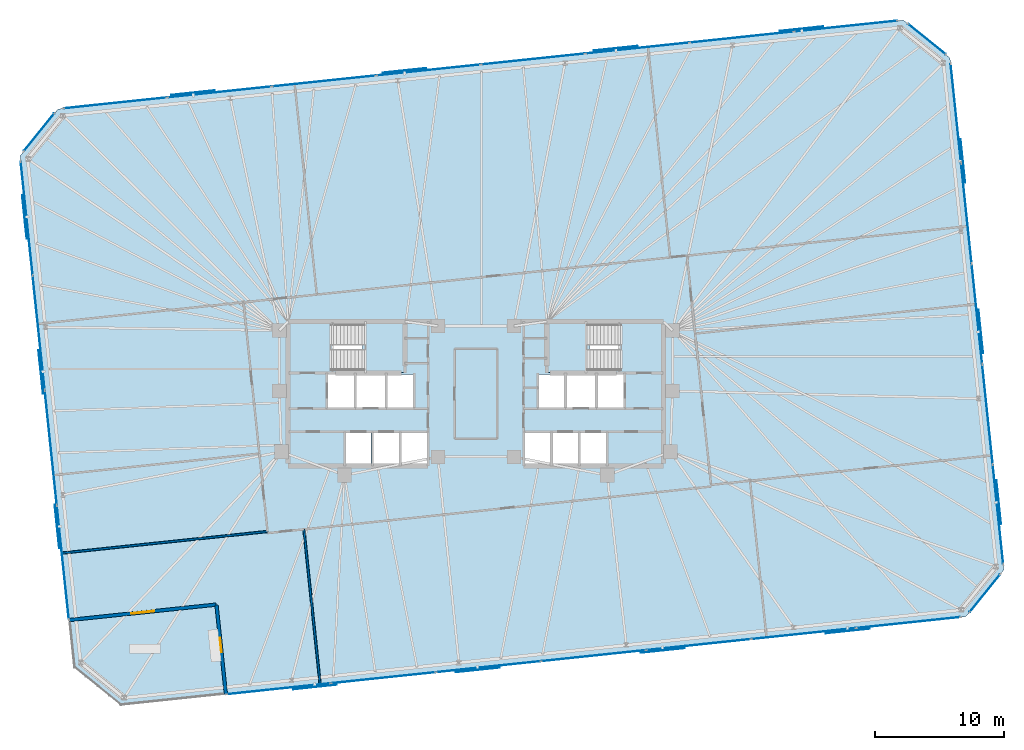
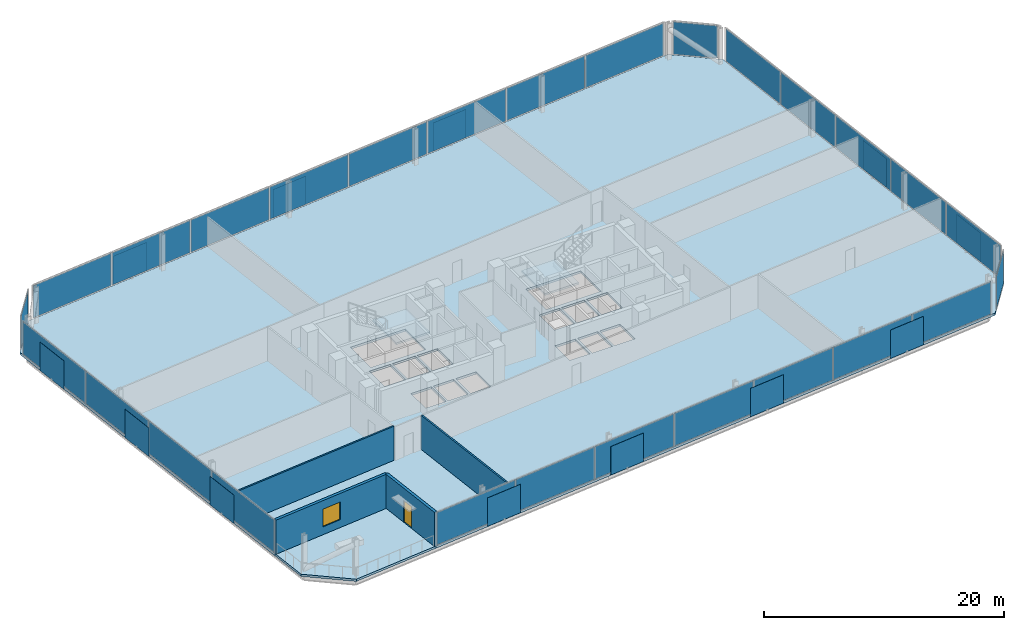
# One storey, part 13 of 18: 41 plates, 4 slabs, 4 walls, 1 door, 1 window, 2 openings, 9 elements without a shape of their own.
"""IFC4 building model written with IfcOpenShell, lengths in metres."""

from ifc_helpers import new_model, si_unit, direction, frame, frame_2d, origin, origin_2d, place, context, subcontext, project, spatial, polyline, rectangle, outline, extrude, material, layer, layer_set, type_object, element, fill, aggregate, save


model = new_model("IFC4")

# Units and contexts
model_context = context("Model", 3, precision=1e-05, world=origin(), true_north=direction((0.0, 1.0)))
body_context = subcontext(model_context, "Body", "Model", "MODEL_VIEW")
ifc_project = project(units=[si_unit("LENGTHUNIT", "METRE"), si_unit("AREAUNIT", "SQUARE_METRE"), si_unit("VOLUMEUNIT", "CUBIC_METRE"), si_unit("PLANEANGLEUNIT", "RADIAN"), si_unit("MASSUNIT", "GRAM", prefix="KILO")], contexts=[model_context])

# Site, building, storey
site_placement = place(None, origin())
site = spatial("IfcSite", under=ifc_project, at=site_placement, CompositionType="ELEMENT")
building_placement = place(site_placement, origin())
building = spatial("IfcBuilding", under=site, at=building_placement, Name="Menara Jurai Vektor", CompositionType="ELEMENT")
storey_placement = place(building_placement, frame((0.0, 0.0, 113.300048828125)))
storey = spatial("IfcBuildingStorey", under=building, at=storey_placement, Name="L28", CompositionType="ELEMENT", Elevation=113.300048828125)

# Curtain wall, plates
ifc_material_1 = material(Name="Anodised Pale Aluminium & Low-E Double Glazing", Category="aluminium")
curtain_wall_type = type_object("IfcCurtainWallType", Name="CW-BLK2", PredefinedType="NOTDEFINED", material=ifc_material_1)
curtain_wall_1_placement = place(storey_placement, origin())
curtain_wall_1 = element("IfcCurtainWall", 1, at=curtain_wall_1_placement, inside=storey, type_object=curtain_wall_type, Name="Unitised Curtain Wall L28 F03", PredefinedType="NOTDEFINED")
ifc_material_2 = material(Name="Low-E Solar-Control Double Glazed Unit", Category="glass")
ifc_layer_1 = layer(ifc_material_2, 0.033935546875)
ifc_layer_set_1 = layer_set([ifc_layer_1], Name="Low-E Solar-Control Double Glazed Unit")
plate_type_1 = type_object("IfcPlateType", Name="CW-BLK2-PNL", PredefinedType="CURTAIN_PANEL", material=ifc_layer_set_1)
plate_1_placement = place(storey_placement, frame((-15.289794921875, -22.87939453125, 0.090087890625), z_axis=(0.0, 0.0, 1.0), x_axis=(0.994521844653, 0.104528945794, 0.0)))
plate_1 = element("IfcPlate", 2, at=plate_1_placement, type_object=plate_type_1, Name="CW-02 panel 1.1", PredefinedType="CURTAIN_PANEL", context=body_context, shape_type="SweptSolid", body=[
    extrude(rectangle(XDim=8.053466796875, YDim=0.033935546875, at=origin_2d()), origin(), (0.0, 0.0, 1.0), 3.294921875),
])
plate_2_placement = place(storey_placement, frame((-7.16845703125, -22.02587890625, 0.090087890625), z_axis=(0.0, 0.0, 1.0), x_axis=(0.994521844653, 0.104528945794, 0.0)))
plate_2 = element("IfcPlate", 3, at=plate_2_placement, type_object=plate_type_1, Name="CW-02 panel 2.1", PredefinedType="CURTAIN_PANEL", context=body_context, shape_type="SweptSolid", body=[
    extrude(rectangle(XDim=8.0986328125, YDim=0.033935546875, at=origin_2d()), origin(), (0.0, 0.0, 1.0), 3.294921875),
])
plate_3_placement = place(storey_placement, frame((0.97509765625, -21.169921875, 0.090087890625), z_axis=(0.0, 0.0, 1.0), x_axis=(0.994521844653, 0.104528945794, 0.0)))
plate_3 = element("IfcPlate", 4, at=plate_3_placement, type_object=plate_type_1, Name="CW-02 panel 3.1", PredefinedType="CURTAIN_PANEL", context=body_context, shape_type="SweptSolid", body=[
    extrude(rectangle(XDim=8.0986328125, YDim=0.033935546875, at=origin_2d()), origin(), (0.0, 0.0, 1.0), 3.294921875),
])
plate_4_placement = place(storey_placement, frame((9.118896484375, -20.31396484375, 0.090087890625), z_axis=(0.0, 0.0, 1.0), x_axis=(0.994521844653, 0.104528945794, 0.0)))
plate_4 = element("IfcPlate", 5, at=plate_4_placement, type_object=plate_type_1, Name="CW-02 panel 4.1", PredefinedType="CURTAIN_PANEL", context=body_context, shape_type="SweptSolid", body=[
    extrude(rectangle(XDim=8.0986328125, YDim=0.033935546875, at=origin_2d()), origin(), (0.0, 0.0, 1.0), 3.294921875),
])
plate_5_placement = place(storey_placement, frame((17.2626953125, -19.4580078125, 0.090087890625), z_axis=(0.0, 0.0, 1.0), x_axis=(0.994521844653, 0.104528945794, 0.0)))
plate_5 = element("IfcPlate", 6, at=plate_5_placement, type_object=plate_type_1, Name="CW-02 panel 5.1", PredefinedType="CURTAIN_PANEL", context=body_context, shape_type="SweptSolid", body=[
    extrude(rectangle(XDim=8.0986328125, YDim=0.033935546875, at=origin_2d()), origin(), (0.0, 0.0, 1.0), 3.294921875),
])
plate_6_placement = place(storey_placement, frame((25.40625, -18.60205078125, 0.090087890625), z_axis=(0.0, 0.0, 1.0), x_axis=(0.994521844653, 0.104528945794, 0.0)))
plate_6 = element("IfcPlate", 7, at=plate_6_placement, type_object=plate_type_1, Name="CW-02 panel 6.1", PredefinedType="CURTAIN_PANEL", context=body_context, shape_type="SweptSolid", body=[
    extrude(rectangle(XDim=8.0986328125, YDim=0.033935546875, at=origin_2d()), origin(), (0.0, 0.0, 1.0), 3.294921875),
])
plate_7_placement = place(storey_placement, frame((33.527587890625, -17.74853515625, 0.090087890625), z_axis=(0.0, 0.0, 1.0), x_axis=(0.994521844653, 0.104528945794, 0.0)))
plate_7 = element("IfcPlate", 8, at=plate_7_placement, type_object=plate_type_1, Name="CW-02 panel 7.1", PredefinedType="CURTAIN_PANEL", context=body_context, shape_type="SweptSolid", body=[
    extrude(rectangle(XDim=8.053466796875, YDim=0.033935546875, at=origin_2d()), origin(), (0.0, 0.0, 1.0), 3.294921875),
])
aggregate(curtain_wall_1, [plate_1, plate_2, plate_3, plate_4, plate_5, plate_6, plate_7])

curtain_wall_2_placement = place(storey_placement, origin())
curtain_wall_2 = element("IfcCurtainWall", 9, at=curtain_wall_2_placement, inside=storey, type_object=curtain_wall_type, Name="Unitised Curtain Wall L28 F05", PredefinedType="NOTDEFINED")
plate_8_placement = place(storey_placement, frame((40.485595703125, -9.358642578125, 0.090087890625), z_axis=(0.0, 0.0, 1.0), x_axis=(-0.104529576902, 0.99452177832, 0.0)))
plate_8 = element("IfcPlate", 10, at=plate_8_placement, type_object=plate_type_1, Name="CW-02 panel 1.1", PredefinedType="CURTAIN_PANEL", context=body_context, shape_type="SweptSolid", body=[
    extrude(rectangle(XDim=7.693115234375, YDim=0.033935546875, at=origin_2d()), origin(), (0.0, 0.0, 1.0), 3.294921875),
])
plate_9_placement = place(storey_placement, frame((39.669677734375, -1.595947265625, 0.090087890625), z_axis=(0.0, 0.0, 1.0), x_axis=(-0.104529576902, 0.99452177832, 0.0)))
plate_9 = element("IfcPlate", 11, at=plate_9_placement, type_object=plate_type_1, Name="CW-02 panel 2.1", PredefinedType="CURTAIN_PANEL", context=body_context, shape_type="SweptSolid", body=[
    extrude(rectangle(XDim=7.738037109375, YDim=0.033935546875, at=origin_2d()), origin(), (0.0, 0.0, 1.0), 3.294921875),
])
plate_10_placement = place(storey_placement, frame((38.8515625, 6.189208984375, 0.090087890625), z_axis=(0.0, 0.0, 1.0), x_axis=(-0.104529576902, 0.99452177832, 0.0)))
plate_10 = element("IfcPlate", 12, at=plate_10_placement, type_object=plate_type_1, Name="CW-02 panel 3.1", PredefinedType="CURTAIN_PANEL", context=body_context, shape_type="SweptSolid", body=[
    extrude(rectangle(XDim=7.738037109375, YDim=0.033935546875, at=origin_2d()), origin(), (0.0, 0.0, 1.0), 3.294921875),
])
plate_11_placement = place(storey_placement, frame((38.033203125, 13.974365234375, 0.090087890625), z_axis=(0.0, 0.0, 1.0), x_axis=(-0.104529576902, 0.99452177832, 0.0)))
plate_11 = element("IfcPlate", 13, at=plate_11_placement, type_object=plate_type_1, Name="CW-02 panel 4.1", PredefinedType="CURTAIN_PANEL", context=body_context, shape_type="SweptSolid", body=[
    extrude(rectangle(XDim=7.738037109375, YDim=0.033935546875, at=origin_2d()), origin(), (0.0, 0.0, 1.0), 3.294921875),
])
plate_12_placement = place(storey_placement, frame((37.21728515625, 21.737060546875, 0.090087890625), z_axis=(0.0, 0.0, 1.0), x_axis=(-0.104529576902, 0.99452177832, 0.0)))
plate_12 = element("IfcPlate", 14, at=plate_12_placement, type_object=plate_type_1, Name="CW-02 panel 5.1", PredefinedType="CURTAIN_PANEL", context=body_context, shape_type="SweptSolid", body=[
    extrude(rectangle(XDim=7.693115234375, YDim=0.033935546875, at=origin_2d()), origin(), (0.0, 0.0, 1.0), 3.294921875),
])
aggregate(curtain_wall_2, [plate_8, plate_9, plate_10, plate_11, plate_12])

curtain_wall_3_placement = place(storey_placement, origin())
curtain_wall_3 = element("IfcCurtainWall", 15, at=curtain_wall_3_placement, inside=storey, type_object=curtain_wall_type, Name="Unitised Curtain Wall L28 F07", PredefinedType="NOTDEFINED")
plate_13_placement = place(storey_placement, frame((28.68994140625, 28.499267578125, 0.090087890625), z_axis=(0.0, 0.0, 1.0), x_axis=(-0.994521877325, -0.104528634935, 0.0)))
plate_13 = element("IfcPlate", 16, at=plate_13_placement, type_object=plate_type_1, Name="CW-02 panel 1.1", PredefinedType="CURTAIN_PANEL", context=body_context, shape_type="SweptSolid", body=[
    extrude(rectangle(XDim=8.007568359375, YDim=0.033935546875, at=origin_2d()), origin(), (0.0, 0.0, 1.0), 3.294921875),
])
plate_14_placement = place(storey_placement, frame((20.614501953125, 27.650390625, 0.090087890625), z_axis=(0.0, 0.0, 1.0), x_axis=(-0.994521877325, -0.104528634935, 0.0)))
plate_14 = element("IfcPlate", 17, at=plate_14_placement, type_object=plate_type_1, Name="CW-02 panel 2.1", PredefinedType="CURTAIN_PANEL", context=body_context, shape_type="SweptSolid", body=[
    extrude(rectangle(XDim=8.052490234375, YDim=0.033935546875, at=origin_2d()), origin(), (0.0, 0.0, 1.0), 3.294921875),
])
plate_15_placement = place(storey_placement, frame((12.5166015625, 26.79931640625, 0.090087890625), z_axis=(0.0, 0.0, 1.0), x_axis=(-0.994521877325, -0.104528634935, 0.0)))
plate_15 = element("IfcPlate", 18, at=plate_15_placement, type_object=plate_type_1, Name="CW-02 panel 3.1", PredefinedType="CURTAIN_PANEL", context=body_context, shape_type="SweptSolid", body=[
    extrude(rectangle(XDim=8.052490234375, YDim=0.033935546875, at=origin_2d()), origin(), (0.0, 0.0, 1.0), 3.294921875),
])
plate_16_placement = place(storey_placement, frame((4.418701171875, 25.9482421875, 0.090087890625), z_axis=(0.0, 0.0, 1.0), x_axis=(-0.994521877325, -0.104528634935, 0.0)))
plate_16 = element("IfcPlate", 19, at=plate_16_placement, type_object=plate_type_1, Name="CW-02 panel 4.1", PredefinedType="CURTAIN_PANEL", context=body_context, shape_type="SweptSolid", body=[
    extrude(rectangle(XDim=8.052490234375, YDim=0.033935546875, at=origin_2d()), origin(), (0.0, 0.0, 1.0), 3.294921875),
])
plate_17_placement = place(storey_placement, frame((-3.67919921875, 25.096923828125, 0.090087890625), z_axis=(0.0, 0.0, 1.0), x_axis=(-0.994521877325, -0.104528634935, 0.0)))
plate_17 = element("IfcPlate", 20, at=plate_17_placement, type_object=plate_type_1, Name="CW-02 panel 5.1", PredefinedType="CURTAIN_PANEL", context=body_context, shape_type="SweptSolid", body=[
    extrude(rectangle(XDim=8.052490234375, YDim=0.033935546875, at=origin_2d()), origin(), (0.0, 0.0, 1.0), 3.294921875),
])
plate_18_placement = place(storey_placement, frame((-11.777099609375, 24.245849609375, 0.090087890625), z_axis=(0.0, 0.0, 1.0), x_axis=(-0.994521877325, -0.104528634935, 0.0)))
plate_18 = element("IfcPlate", 21, at=plate_18_placement, type_object=plate_type_1, Name="CW-02 panel 6.1", PredefinedType="CURTAIN_PANEL", context=body_context, shape_type="SweptSolid", body=[
    extrude(rectangle(XDim=8.052490234375, YDim=0.033935546875, at=origin_2d()), origin(), (0.0, 0.0, 1.0), 3.294921875),
])
plate_19_placement = place(storey_placement, frame((-19.875, 23.394775390625, 0.090087890625), z_axis=(0.0, 0.0, 1.0), x_axis=(-0.994521877325, -0.104528634935, 0.0)))
plate_19 = element("IfcPlate", 22, at=plate_19_placement, type_object=plate_type_1, Name="CW-02 panel 7.1", PredefinedType="CURTAIN_PANEL", context=body_context, shape_type="SweptSolid", body=[
    extrude(rectangle(XDim=8.052490234375, YDim=0.033935546875, at=origin_2d()), origin(), (0.0, 0.0, 1.0), 3.294921875),
])
plate_20_placement = place(storey_placement, frame((-27.95068359375, 22.5458984375, 0.090087890625), z_axis=(0.0, 0.0, 1.0), x_axis=(-0.994521877325, -0.104528634935, 0.0)))
plate_20 = element("IfcPlate", 23, at=plate_20_placement, type_object=plate_type_1, Name="CW-02 panel 8.1", PredefinedType="CURTAIN_PANEL", context=body_context, shape_type="SweptSolid", body=[
    extrude(rectangle(XDim=8.007568359375, YDim=0.033935546875, at=origin_2d()), origin(), (0.0, 0.0, 1.0), 3.294921875),
])
aggregate(curtain_wall_3, [plate_13, plate_14, plate_15, plate_16, plate_17, plate_18, plate_19, plate_20])

curtain_wall_4_placement = place(storey_placement, origin())
curtain_wall_4 = element("IfcCurtainWall", 24, at=curtain_wall_4_placement, inside=storey, type_object=curtain_wall_type, Name="Unitised Curtain Wall L28 F09", PredefinedType="NOTDEFINED")
plate_21_placement = place(storey_placement, frame((-34.82666015625, 13.598388671875, 0.090087890625), z_axis=(0.0, 0.0, 1.0), x_axis=(0.10453088607, -0.994521640719, 0.0)))
plate_21 = element("IfcPlate", 25, at=plate_21_placement, type_object=plate_type_1, Name="CW-02 panel 1.1", PredefinedType="CURTAIN_PANEL", context=body_context, shape_type="SweptSolid", body=[
    extrude(rectangle(XDim=8.820068359375, YDim=0.033935546875, at=origin_2d()), origin(), (0.0, 0.0, 1.0), 3.294921875),
])
plate_22_placement = place(storey_placement, frame((-33.89306640625, 4.71484375, 0.090087890625), z_axis=(0.0, 0.0, 1.0), x_axis=(0.10453088607, -0.994521640719, 0.0)))
plate_22 = element("IfcPlate", 26, at=plate_22_placement, type_object=plate_type_1, Name="CW-02 panel 2.1", PredefinedType="CURTAIN_PANEL", context=body_context, shape_type="SweptSolid", body=[
    extrude(rectangle(XDim=8.864990234375, YDim=0.033935546875, at=origin_2d()), origin(), (0.0, 0.0, 1.0), 3.294921875),
])
plate_23_placement = place(storey_placement, frame((-32.95703125, -4.191162109375, 0.090087890625), z_axis=(0.0, 0.0, 1.0), x_axis=(0.10453088607, -0.994521640719, 0.0)))
plate_23 = element("IfcPlate", 27, at=plate_23_placement, type_object=plate_type_1, Name="CW-02 panel 3.1", PredefinedType="CURTAIN_PANEL", context=body_context, shape_type="SweptSolid", body=[
    extrude(rectangle(XDim=8.864990234375, YDim=0.033935546875, at=origin_2d()), origin(), (0.0, 0.0, 1.0), 3.294921875),
])
plate_24_placement = place(storey_placement, frame((-32.023193359375, -13.07470703125, 0.090087890625), z_axis=(0.0, 0.0, 1.0), x_axis=(0.10453088607, -0.994521640719, 0.0)))
plate_24 = element("IfcPlate", 28, at=plate_24_placement, type_object=plate_type_1, Name="CW-02 panel 4.1", PredefinedType="CURTAIN_PANEL", context=body_context, shape_type="SweptSolid", body=[
    extrude(rectangle(XDim=8.820068359375, YDim=0.033935546875, at=origin_2d()), origin(), (0.0, 0.0, 1.0), 3.294921875),
])
aggregate(curtain_wall_4, [plate_21, plate_22, plate_23, plate_24])

# Curtain wall, plate
curtain_wall_5_placement = place(storey_placement, origin())
curtain_wall_5 = element("IfcCurtainWall", 29, at=curtain_wall_5_placement, inside=storey, type_object=curtain_wall_type, Name="Unitised Curtain Wall L28 F04", PredefinedType="NOTDEFINED")
ifc_material_3 = material(Name="Insulated Pale Aluminium Spandrel Panel", Category="aluminium")
ifc_layer_2 = layer(ifc_material_3, 0.06005859375)
ifc_layer_set_2 = layer_set([ifc_layer_2], Name="Insulated Pale Aluminium Spandrel Panel")
plate_type_2 = type_object("IfcPlateType", Name="CW-PNL-SP", PredefinedType="CURTAIN_PANEL", material=ifc_layer_set_2)
plate_25_placement = place(storey_placement, frame((39.46826171875, -15.465087890625, 0.090087890625), z_axis=(0.0, 0.0, 1.0), x_axis=(0.62934106172, 0.777129222223, 0.0)))
plate_25 = element("IfcPlate", 30, at=plate_25_placement, type_object=plate_type_2, Name="CW-02 panel 1.1", PredefinedType="CURTAIN_PANEL", context=body_context, shape_type="SweptSolid", body=[
    extrude(rectangle(XDim=3.72705078125, YDim=0.06005859375, at=origin_2d()), origin(), (0.0, 0.0, 1.0), 3.294921875),
])
aggregate(curtain_wall_5, [plate_25])

curtain_wall_6_placement = place(storey_placement, origin())
curtain_wall_6 = element("IfcCurtainWall", 31, at=curtain_wall_6_placement, inside=storey, type_object=curtain_wall_type, Name="Unitised Curtain Wall L28 F06", PredefinedType="NOTDEFINED")
plate_26_placement = place(storey_placement, frame((34.95263671875, 27.498291015625, 0.090087890625), z_axis=(0.0, 0.0, 1.0), x_axis=(-0.777151877437, 0.629313085353, 0.0)))
plate_26 = element("IfcPlate", 32, at=plate_26_placement, type_object=plate_type_2, Name="CW-02 panel 1.1", PredefinedType="CURTAIN_PANEL", context=body_context, shape_type="SweptSolid", body=[
    extrude(rectangle(XDim=3.72705078125, YDim=0.06005859375, at=origin_2d()), origin(), (0.0, 0.0, 1.0), 3.294921875),
])
aggregate(curtain_wall_6, [plate_26])

curtain_wall_7_placement = place(storey_placement, origin())
curtain_wall_7 = element("IfcCurtainWall", 33, at=curtain_wall_7_placement, inside=storey, type_object=curtain_wall_type, Name="Unitised Curtain Wall L28 F08", PredefinedType="NOTDEFINED")
plate_27_placement = place(storey_placement, frame((-33.868408203125, 20.264892578125, 0.090087890625), z_axis=(0.0, 0.0, 1.0), x_axis=(-0.62934106172, -0.777129222223, 0.0)))
plate_27 = element("IfcPlate", 34, at=plate_27_placement, type_object=plate_type_2, Name="CW-02 panel 1.1", PredefinedType="CURTAIN_PANEL", context=body_context, shape_type="SweptSolid", body=[
    extrude(rectangle(XDim=3.72705078125, YDim=0.06005859375, at=origin_2d()), origin(), (0.0, 0.0, 1.0), 3.294921875),
])
aggregate(curtain_wall_7, [plate_27])

# Plates
ifc_material_4 = material(Name="Anodised Pale Aluminium Perforated Screen", Category="aluminium")
ifc_layer_3 = layer(ifc_material_4, 0.02392578125)
ifc_layer_set_3 = layer_set([ifc_layer_3], Name="Anodised Pale Aluminium Perforated Screen")
plate_type_3 = type_object("IfcPlateType", Name="ENV-PLT-SCREEN", PredefinedType="USERDEFINED", material=ifc_layer_set_3)
for number, where, z_axis, x_axis, name in (
    (35, (-12.481201171875, -22.7451171875, -0.050048828125), (0.0, 0.0, 1.0), (0.994521895368, 0.104528463268, 0.0), "Perforated Pale-Metal Solar Screen L28-S01"),
    (36, (0.143310546875, -21.418212890625, -0.050048828125), (0.0, 0.0, 1.0), (0.994521895368, 0.104528463268, 0.0), "Perforated Pale-Metal Solar Screen L28-S02"),
    (37, (14.489013671875, -19.910400390625, -0.050048828125), (0.0, 0.0, 1.0), (0.994521895368, 0.104528463268, 0.0), "Perforated Pale-Metal Solar Screen L28-S03"),
    (38, (28.835205078125, -18.402587890625, -0.050048828125), (0.0, 0.0, 1.0), (0.994521895368, 0.104528463268, 0.0), "Perforated Pale-Metal Solar Screen L28-S04"),
    (39, (40.546875, -8.41015625, -0.050048828125), (0.0, 0.0, 1.0), (-0.104528463268, 0.994521895368, 0.0), "Perforated Pale-Metal Solar Screen L28-S05"),
    (40, (39.156494140625, 4.81689453125, -0.050048828125), (0.0, 0.0, 1.0), (-0.104528463268, 0.994521895368, 0.0), "Perforated Pale-Metal Solar Screen L28-S06"),
    (41, (37.766357421875, 18.044189453125, -0.050048828125), (0.0, 0.0, 1.0), (-0.104528463268, 0.994521895368, 0.0), "Perforated Pale-Metal Solar Screen L28-S07"),
    (42, (25.2578125, 28.29931640625, -0.050048828125), (0.0, 0.0, 1.0), (-0.994521895368, -0.104528463268, 0.0), "Perforated Pale-Metal Solar Screen L28-S08"),
    (43, (10.839111328125, 26.783935546875, -0.050048828125), (0.0, 0.0, 1.0), (-0.994521895368, -0.104528463268, 0.0), "Perforated Pale-Metal Solar Screen L28-S09"),
    (44, (-5.54541015625, 25.061767578125, -0.050048828125), (0.0, 0.0, 1.0), (-0.994521895368, -0.104528463268, 0.0), "Perforated Pale-Metal Solar Screen L28-S10"),
    (45, (-21.930419921875, 23.339599609375, -0.050048828125), (0.0, 0.0, 1.0), (-0.994521895368, -0.104528463268, 0.0), "Perforated Pale-Metal Solar Screen L28-S11"),
    (46, (-34.997802734375, 13.694580078125, -0.050048828125), (0.0, 0.0, 1.0), (0.104528463268, -0.994521895368, 0.0), "Perforated Pale-Metal Solar Screen L28-S12"),
    (47, (-33.736328125, 1.694091796875, -0.050048828125), (0.0, 0.0, 1.0), (0.104528463268, -0.994521895368, 0.0), "Perforated Pale-Metal Solar Screen L28-S13"),
    (48, (-32.47509765625, -10.306396484375, -0.050048828125), (0.0, 0.0, 1.0), (0.104528463268, -0.994521895368, 0.0), "Perforated Pale-Metal Solar Screen L28-S14"),
):
    element("IfcPlate", number, at=place(storey_placement, frame(where, z_axis=z_axis, x_axis=x_axis)), inside=storey, type_object=plate_type_3, Name=name, ObjectType="SCREEN", PredefinedType="USERDEFINED", context=body_context, shape_type="SweptSolid", body=[
        extrude(rectangle(XDim=3.39990234375, YDim=0.02392578125, at=origin_2d()), origin(), (0.0, 0.0, 1.0), 2.89990234375),
    ])

# Stair, slab
ifc_material_5 = material(Name="Concrete C40/50", Category="concrete")
stair_type = type_object("IfcStairType", Name="STAIR-DOGLEG-1500", PredefinedType="HALF_TURN_STAIR", material=ifc_material_5)
stair_1_placement = place(storey_placement, origin())
stair_1 = element("IfcStair", 49, at=stair_1_placement, inside=storey, type_object=stair_type, Name="Protected Exit Stair ST1 L28", PredefinedType="HALF_TURN_STAIR")
ifc_layer_4 = layer(ifc_material_5, 0.199951171875)
ifc_layer_set_4 = layer_set([ifc_layer_4], Name="Concrete C40/50")
slab_type_1 = type_object("IfcSlabType", Name="STAIR-LANDING-200", PredefinedType="LANDING", material=ifc_layer_set_4)
slab_1_placement = place(storey_placement, frame((0.0, 0.0, 1.64990234375)))
slab_1 = element("IfcSlab", 50, at=slab_1_placement, type_object=slab_type_1, Name="ST1 landing 1", PredefinedType="LANDING", context=body_context, shape_type="SweptSolid", body=[
    extrude(outline(polyline([(-8.800048828125, 1.64990234375), (-5.550048828125, 1.64990234375), (-5.550048828125, 5.550048828125), (-8.800048828125, 5.550048828125), (-8.800048828125, 1.64990234375)])), origin(), (0.0, 0.0, 1.0), 0.199951171875),
])
aggregate(stair_1, [slab_1])

stair_2_placement = place(storey_placement, origin())
stair_2 = element("IfcStair", 51, at=stair_2_placement, inside=storey, type_object=stair_type, Name="Protected Exit Stair ST2 L28", PredefinedType="HALF_TURN_STAIR")
slab_2_placement = place(storey_placement, frame((0.0, 0.0, 1.64990234375)))
slab_2 = element("IfcSlab", 52, at=slab_2_placement, type_object=slab_type_1, Name="ST2 landing 1", PredefinedType="LANDING", context=body_context, shape_type="SweptSolid", body=[
    extrude(outline(polyline([(5.550048828125, 1.64990234375), (8.800048828125, 1.64990234375), (8.800048828125, 5.550048828125), (5.550048828125, 5.550048828125), (5.550048828125, 1.64990234375)])), origin(), (0.0, 0.0, 1.0), 0.199951171875),
])
aggregate(stair_2, [slab_2])

# Slabs
ifc_layer_5 = layer(ifc_material_5, 0.219970703125)
ifc_layer_set_5 = layer_set([ifc_layer_5], Name="Concrete C40/50")
slab_type_2 = type_object("IfcSlabType", Name="STR-SLAB-TER220", PredefinedType="FLOOR", material=ifc_layer_set_5)
slab_3_placement = place(storey_placement, frame((0.0, 0.0, -0.22509765625)))
element("IfcSlab", 53, at=slab_3_placement, inside=storey, type_object=slab_type_2, Name="Spiral Sky Terrace Slab L28", PredefinedType="FLOOR", context=body_context, shape_type="SweptSolid", body=[
    extrude(outline(polyline([(-19.384033203125, -23.309814453125), (-20.11572265625, -16.34814453125), (-31.552734375, -17.550048828125), (-31.166015625, -21.22998046875), (-27.539306640625, -24.166748046875), (-19.384033203125, -23.309814453125)])), origin(), (0.0, 0.0, 1.0), 0.22509765625),
])
ifc_layer_6 = layer(ifc_material_5, 0.22509765625)
ifc_layer_set_6 = layer_set([ifc_layer_6], Name="Concrete C40/50")
slab_type_3 = type_object("IfcSlabType", Name="STR-SLAB-TYP200", PredefinedType="FLOOR", material=ifc_layer_set_6)
slab_4_placement = place(storey_placement, frame((0.0, 0.0, -0.22509765625)))
element("IfcSlab", 54, at=slab_4_placement, inside=storey, type_object=slab_type_3, Name="Composite Floor Slab L28", PredefinedType="FLOOR", context=body_context, shape_type="SweptSolid", body=[
    extrude(outline(polyline([(-31.552734375, -17.550048828125), (-20.11572265625, -16.34814453125), (-19.384033203125, -23.309814453125), (37.999755859375, -17.2783203125), (40.936767578125, -13.651611328125), (36.76611328125, 26.02978515625), (33.13916015625, 28.966796875), (-32.39990234375, 22.078369140625), (-35.3369140625, 18.45166015625), (-31.552734375, -17.550048828125)]), holes=[polyline([(-11.10009765625, 1.89990234375), (-11.10009765625, 5.300048828125), (-5.800048828125, 5.300048828125), (-5.800048828125, 1.89990234375), (-11.10009765625, 1.89990234375)]), polyline([(5.800048828125, 1.89990234375), (5.800048828125, 5.300048828125), (11.10009765625, 5.300048828125), (11.10009765625, 1.89990234375), (5.800048828125, 1.89990234375)]), polyline([(-11.449951171875, -1.050048828125), (-11.449951171875, 1.5), (-9.449951171875, 1.5), (-9.449951171875, -1.050048828125), (-11.449951171875, -1.050048828125)]), polyline([(9.449951171875, -1.050048828125), (9.449951171875, 1.5), (11.449951171875, 1.5), (11.449951171875, -1.050048828125), (9.449951171875, -1.050048828125)]), polyline([(-5.760009765625, -5.5), (-5.760009765625, -3.050048828125), (-3.800048828125, -3.050048828125), (-3.800048828125, -5.5), (-5.760009765625, -5.5)]), polyline([(-6.85009765625, -1.050048828125), (-6.85009765625, 1.5), (-4.889892578125, 1.5), (-4.889892578125, -1.050048828125), (-6.85009765625, -1.050048828125)]), polyline([(3.800048828125, -5.5), (3.800048828125, -3.050048828125), (5.760009765625, -3.050048828125), (5.760009765625, -5.5), (3.800048828125, -5.5)]), polyline([(4.889892578125, -1.050048828125), (4.889892578125, 1.5), (6.85009765625, 1.5), (6.85009765625, -1.050048828125), (4.889892578125, -1.050048828125)]), polyline([(-10.080078125, -5.5), (-10.080078125, -3.050048828125), (-8.1201171875, -3.050048828125), (-8.1201171875, -5.5), (-10.080078125, -5.5)]), polyline([(-7.919921875, -5.5), (-7.919921875, -3.050048828125), (-5.9599609375, -3.050048828125), (-5.9599609375, -5.5), (-7.919921875, -5.5)]), polyline([(5.9599609375, -5.5), (5.9599609375, -3.050048828125), (7.919921875, -3.050048828125), (7.919921875, -5.5), (5.9599609375, -5.5)]), polyline([(8.1201171875, -5.5), (8.1201171875, -3.050048828125), (10.080078125, -3.050048828125), (10.080078125, -5.5), (8.1201171875, -5.5)]), polyline([(-9.25, -1.050048828125), (-9.25, 1.5), (-7.050048828125, 1.5), (-7.050048828125, -1.050048828125), (-9.25, -1.050048828125)]), polyline([(7.050048828125, -1.050048828125), (7.050048828125, 1.5), (9.25, 1.5), (9.25, -1.050048828125), (7.050048828125, -1.050048828125)])]), origin(), (0.0, 0.0, 1.0), 0.22509765625),
])

# Wall, opening, window
ifc_material_6 = material(Name="Insulated Pale Aluminium Terrace Wall", Category="aluminium")
ifc_layer_7 = layer(ifc_material_6, 0.260009765625)
ifc_layer_set_7 = layer_set([ifc_layer_7], Name="Insulated Pale Aluminium Terrace Wall")
wall_type_1 = type_object("IfcWallType", Name="ENV-WALL-EXT260", PredefinedType="STANDARD", material=ifc_layer_set_7)
wall_1_placement = place(storey_placement, frame((-31.52294921875, -17.547119140625, 0.0), z_axis=(0.0, 0.0, 1.0), x_axis=(0.994522045275, 0.104527036989, 0.0)))
wall_1 = element("IfcWall", 55, at=wall_1_placement, inside=storey, type_object=wall_type_1, Name="Recessed Sky Terrace Wall L28-01", PredefinedType="STANDARD", context=body_context, shape_type="SweptSolid", body=[
    extrude(rectangle(XDim=11.440185546875, YDim=0.260009765625, at=frame_2d((5.72021484375, 0.0))), origin(), (0.0, 0.0, 1.0), 3.474853515625),
])
opening_1_placement = place(wall_1_placement, frame((4.820068359375, 0.0, 0.800048828125)))
opening_1 = element("IfcOpeningElement", 56, at=opening_1_placement, cuts=wall_1, Name="Opening TW-18", PredefinedType="OPENING", context=body_context, shape_type="SweptSolid", body=[
    extrude(rectangle(XDim=1.800048828125, YDim=1.800048828125, at=frame_2d((0.89990234375, 0.89990234375))), frame((0.0, 0.14013671875, 0.0), z_axis=(0.0, -1.0, 0.0), x_axis=(1.0, 0.0, 0.0)), (0.0, 0.0, 1.0), 0.280029296875),
])
ifc_material_7 = material(Name="Low-E Double Glazed Pale Aluminium Window", Category="aluminium")
window_type = type_object("IfcWindowType", Name="ENV-WIN-TER180", PartitioningType="SINGLE_PANEL", PredefinedType="WINDOW", material=ifc_material_7)
window_placement = place(opening_1_placement, origin())
window = element("IfcWindow", 57, at=window_placement, inside=storey, type_object=window_type, Name="Spiral Terrace Outlook Window L28", OverallHeight=1.800048828125, OverallWidth=1.800048828125, PartitioningType="SINGLE_PANEL", PredefinedType="WINDOW", context=body_context, shape_type="SweptSolid", body=[
    extrude(rectangle(XDim=1.800048828125, YDim=1.800048828125, at=frame_2d((0.89990234375, 0.89990234375))), frame((0.0, 0.030029296875, 0.0), z_axis=(0.0, -1.0, 0.0), x_axis=(1.0, 0.0, 0.0)), (0.0, 0.0, 1.0), 0.06005859375),
])
fill(opening_1, window)

# Wall, opening, door
wall_2_placement = place(storey_placement, frame((-20.11279296875, -16.3779296875, 0.0), z_axis=(0.0, 0.0, 1.0), x_axis=(0.104552933441, -0.994519323145, 0.0)))
wall_2 = element("IfcWall", 58, at=wall_2_placement, inside=storey, type_object=wall_type_1, Name="Recessed Sky Terrace Wall L28-02", PredefinedType="STANDARD", context=body_context, shape_type="SweptSolid", body=[
    extrude(rectangle(XDim=6.93994140625, YDim=0.260009765625, at=frame_2d((3.469970703125, 0.0))), origin(), (0.0, 0.0, 1.0), 3.474853515625),
])
opening_2_placement = place(wall_2_placement, frame((2.572998046875, 0.0, 0.0)))
opening_2 = element("IfcOpeningElement", 59, at=opening_2_placement, cuts=wall_2, Name="Opening TD-L28", PredefinedType="OPENING", context=body_context, shape_type="SweptSolid", body=[
    extrude(rectangle(XDim=1.10009765625, YDim=2.199951171875, at=frame_2d((0.550048828125, 1.10009765625))), frame((0.0, 0.14013671875, 0.0), z_axis=(0.0, -1.0, 0.0), x_axis=(1.0, 0.0, 0.0)), (0.0, 0.0, 1.0), 0.280029296875),
])
ifc_material_8 = material(Name="Anodised Aluminium Glazed Terrace Door", Category="aluminium")
door_type = type_object("IfcDoorType", Name="ENV-DOOR-TER110", OperationType="NOTDEFINED", PredefinedType="DOOR", material=ifc_material_8)
door_placement = place(opening_2_placement, frame((1.10009765625, 0.0, 0.0), z_axis=(0.0, 0.0, 1.0), x_axis=(-1.0, 0.0, 0.0)))
door = element("IfcDoor", 60, at=door_placement, inside=storey, type_object=door_type, Name="Spiral Corner Terrace Access Door L28", OperationType="SINGLE_SWING_RIGHT", OverallHeight=2.199951171875, OverallWidth=1.10009765625, PredefinedType="DOOR", context=body_context, shape_type="SweptSolid", body=[
    extrude(rectangle(XDim=1.10009765625, YDim=2.199951171875, at=frame_2d((0.550048828125, 1.10009765625))), frame((0.0, 0.02490234375, 0.0), z_axis=(0.0, -1.0, 0.0), x_axis=(1.0, 0.0, 0.0)), (0.0, 0.0, 1.0), 0.050048828125),
])
fill(opening_2, door)

# Walls
ifc_material_9 = material(Name="Gypsum Fireboard Partition", Category="gypsum")
ifc_layer_8 = layer(ifc_material_9, 0.14990234375)
ifc_layer_set_8 = layer_set([ifc_layer_8], Name="Gypsum Fireboard Partition")
wall_type_2 = type_object("IfcWallType", Name="INT-WALL-CORR-150", PredefinedType="PARTITIONING", material=ifc_layer_set_8)
wall_3_placement = place(storey_placement, frame((-12.074462890625, -22.54150390625, 0.0), z_axis=(0.0, 0.0, 1.0), x_axis=(-0.104515587229, 0.99452324861, 0.0)))
element("IfcWall", 61, at=wall_3_placement, inside=storey, type_object=wall_type_2, Name="Interior Wall IW-150 L28", PredefinedType="PARTITIONING", context=body_context, shape_type="SweptSolid", body=[
    extrude(rectangle(XDim=12.093017578125, YDim=0.14990234375, at=frame_2d((6.04638671875, 0.0))), origin(), (0.0, 0.0, 1.0), 3.474853515625),
])
wall_4_placement = place(storey_placement, frame((-32.0986328125, -12.357666015625, 0.0), z_axis=(0.0, 0.0, 1.0), x_axis=(0.994522794159, 0.104519911488, 0.0)))
element("IfcWall", 62, at=wall_4_placement, inside=storey, type_object=wall_type_2, Name="Interior Wall IW-150 L28", PredefinedType="PARTITIONING", context=body_context, shape_type="SweptSolid", body=[
    extrude(rectangle(XDim=16.033203125, YDim=0.14990234375, at=frame_2d((8.0166015625, 0.0))), origin(), (0.0, 0.0, 1.0), 3.474853515625),
])

save(model, "model.ifc")
